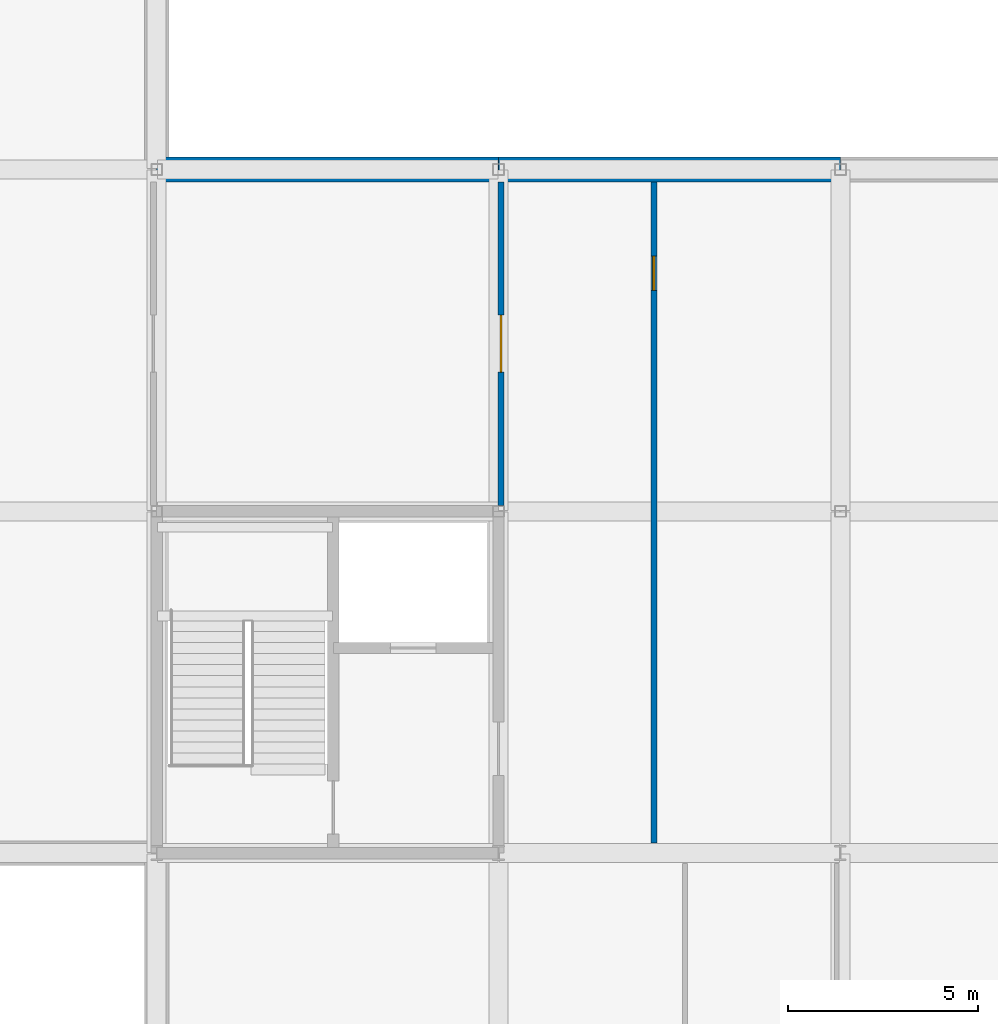
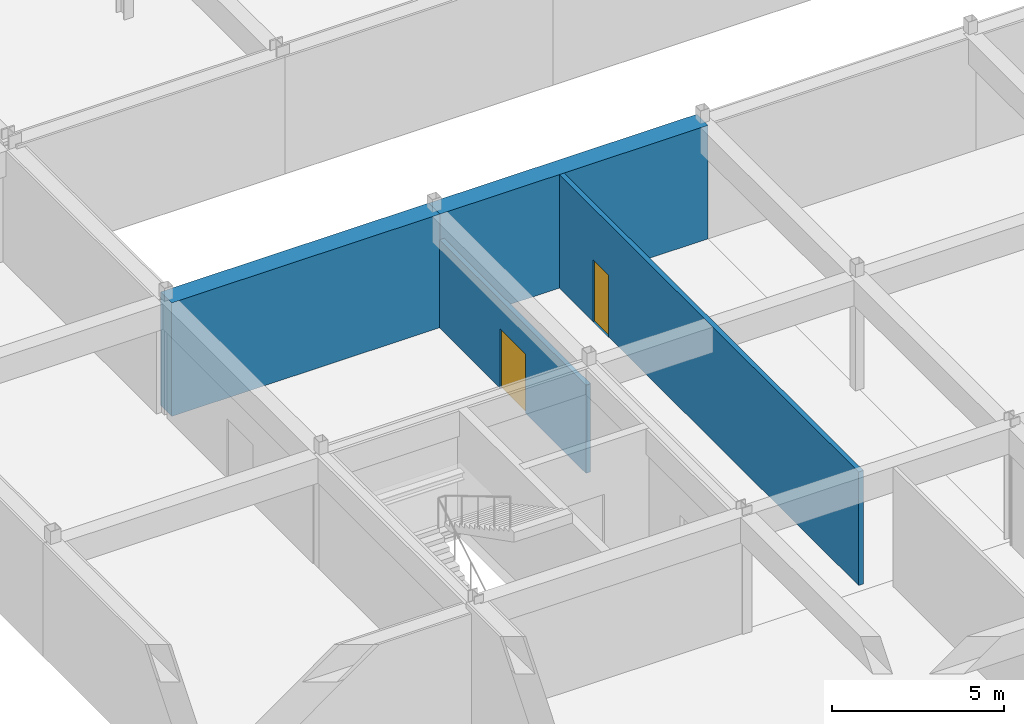
# One storey, part 22 of 35: 4 walls, 2 doors, 2 openings.
"""IFC4 building model written with IfcOpenShell, lengths in metres."""

from ifc_helpers import new_model, si_unit, direction, frame, frame_2d, origin, place, context, subcontext, project, spatial, rectangle, extrude, material, layer, layer_set, type_object, element, fill, save


model = new_model("IFC4")

# Units and contexts
model_context = context("Model", 3, precision=1e-05, world=origin(), true_north=direction((0.0, 1.0)))
body_context = subcontext(model_context, "Body", "Model", "MODEL_VIEW")
ifc_project = project(units=[si_unit("LENGTHUNIT", "METRE"), si_unit("AREAUNIT", "SQUARE_METRE"), si_unit("VOLUMEUNIT", "CUBIC_METRE"), si_unit("PLANEANGLEUNIT", "RADIAN"), si_unit("MASSUNIT", "GRAM", prefix="KILO")], contexts=[model_context])

# Site, building, storey
site_placement = place(None, origin())
site = spatial("IfcSite", under=ifc_project, at=site_placement, CompositionType="ELEMENT")
building_placement = place(site_placement, origin())
building = spatial("IfcBuilding", under=site, at=building_placement, Name="Palais des Congres Ocreval", CompositionType="ELEMENT")
storey_placement = place(building_placement, frame((0.0, 0.0, -4.47998046875)))
storey = spatial("IfcBuildingStorey", under=building, at=storey_placement, Name="B1", CompositionType="ELEMENT", Elevation=-4.47998046875)

# Wall, opening, door
ifc_material_1 = material(Name="Gypsum acoustic partition")
ifc_layer_1 = layer(ifc_material_1, 0.159912109375)
ifc_layer_set_1 = layer_set([ifc_layer_1], Name="Corridor Fire Partition 160 Gypsum (Gypsum acoustic partition)")
wall_type_1 = type_object("IfcWallType", Name="Corridor Fire Partition 160 Gypsum", PredefinedType="PARTITIONING", material=ifc_layer_set_1)
wall_1_placement = place(storey_placement, frame((117.06494140625, 54.155029296875, 0.0), z_axis=(0.0, 0.0, 1.0), x_axis=(0.0, 1.0, 0.0)))
wall_1 = element("IfcWall", 1, at=wall_1_placement, inside=storey, type_object=wall_type_1, Name="Interior Partition IW03 B1", PredefinedType="PARTITIONING", context=body_context, shape_type="SweptSolid", body=[
    extrude(rectangle(XDim=8.514892578125, YDim=0.159912109375, at=frame_2d((4.25732421875, 0.0))), origin(), (0.0, 0.0, 1.0), 3.1298828125),
])
opening_1_placement = place(wall_1_placement, frame((3.507568359375, 0.0, 0.0)))
opening_1 = element("IfcOpeningElement", 2, at=opening_1_placement, cuts=wall_1, Name="Opening D04", PredefinedType="OPENING", context=body_context, shape_type="SweptSolid", body=[
    extrude(rectangle(XDim=1.5, YDim=2.10009765625, at=frame_2d((0.75, 1.050048828125))), frame((0.0, 0.08984375, 0.0), z_axis=(0.0, -1.0, 0.0), x_axis=(1.0, 0.0, 0.0)), (0.0, 0.0, 1.0), 0.179931640625),
])
ifc_material_2 = material(Name="Solid French oak fire door", Category="wood")
door_type_1 = type_object("IfcDoorType", Name="Corridor Compartment Double Door 1500x2100", OperationType="NOTDEFINED", PredefinedType="DOOR", material=ifc_material_2)
door_1_placement = place(opening_1_placement, origin())
door_1 = element("IfcDoor", 3, at=door_1_placement, inside=storey, type_object=door_type_1, Name="Interior Door D04 B1", OperationType="DOUBLE_DOOR_SINGLE_SWING", OverallHeight=2.10009765625, OverallWidth=1.5, PredefinedType="DOOR", context=body_context, shape_type="SweptSolid", body=[
    extrude(rectangle(XDim=1.5, YDim=2.10009765625, at=frame_2d((0.75, 1.050048828125))), frame((0.0, 0.02490234375, 0.0), z_axis=(0.0, -1.0, 0.0), x_axis=(1.0, 0.0, 0.0)), (0.0, 0.0, 1.0), 0.050048828125),
])
fill(opening_1, door_1)

wall_2_placement = place(storey_placement, frame((121.090087890625, 45.27001953125, 0.0), z_axis=(0.0, 0.0, 1.0), x_axis=(0.0, 1.0, 0.0)))
wall_2 = element("IfcWall", 4, at=wall_2_placement, inside=storey, type_object=wall_type_1, Name="Interior Partition IW03 B1", PredefinedType="PARTITIONING", context=body_context, shape_type="SweptSolid", body=[
    extrude(rectangle(XDim=17.39990234375, YDim=0.159912109375, at=frame_2d((8.699951171875, 0.0))), origin(), (0.0, 0.0, 1.0), 4.030029296875),
])
opening_2_placement = place(wall_2_placement, frame((14.550048828125, 0.0, 0.0)))
opening_2 = element("IfcOpeningElement", 5, at=opening_2_placement, cuts=wall_2, Name="Opening D11", PredefinedType="OPENING", context=body_context, shape_type="SweptSolid", body=[
    extrude(rectangle(XDim=0.89990234375, YDim=2.199951171875, at=frame_2d((0.449951171875, 1.10009765625))), frame((0.0, 0.08984375, 0.0), z_axis=(0.0, -1.0, 0.0), x_axis=(1.0, 0.0, 0.0)), (0.0, 0.0, 1.0), 0.179931640625),
])
ifc_material_3 = material(Name="Solid French oak", Category="wood")
door_type_2 = type_object("IfcDoorType", Name="Spa Treatment Cabin Door 900x2200", OperationType="NOTDEFINED", PredefinedType="DOOR", material=ifc_material_3)
door_2_placement = place(opening_2_placement, origin())
door_2 = element("IfcDoor", 6, at=door_2_placement, inside=storey, type_object=door_type_2, Name="Interior Door D11 B1", OperationType="SINGLE_SWING_RIGHT", OverallHeight=2.199951171875, OverallWidth=0.89990234375, PredefinedType="DOOR", context=body_context, shape_type="SweptSolid", body=[
    extrude(rectangle(XDim=0.89990234375, YDim=2.199951171875, at=frame_2d((0.449951171875, 1.10009765625))), frame((0.0, 0.02490234375, 0.0), z_axis=(0.0, -1.0, 0.0), x_axis=(1.0, 0.0, 0.0)), (0.0, 0.0, 1.0), 0.050048828125),
])
fill(opening_2, door_2)

# Walls
ifc_material_4 = material(Name="Concrete C35/45", Category="concrete")
ifc_layer_2 = layer(ifc_material_4, 0.64990234375)
ifc_layer_set_2 = layer_set([ifc_layer_2], Name="Upper Retaining Wall 650 Concrete C35/45")
wall_type_2 = type_object("IfcWallType", Name="Upper Retaining Wall 650 Concrete C35/45", PredefinedType="USERDEFINED", material=ifc_layer_set_2)
for number, where, z_axis, x_axis, name in (
    (7, (108.0, 63.0, 0.0), (0.0, 0.0, 1.0), (1.0, 0.0, 0.0), "Basement Diaphragm Wall RW02 B1"),
    (8, (117.0, 63.0, 0.0), (0.0, 0.0, 1.0), (1.0, 0.0, 0.0), "Basement Diaphragm Wall RW02 B1"),
):
    element("IfcWall", number, at=place(storey_placement, frame(where, z_axis=z_axis, x_axis=x_axis)), inside=storey, type_object=wall_type_2, Name=name, ObjectType="RETAININGWALL", PredefinedType="USERDEFINED", context=body_context, shape_type="SweptSolid", body=[
        extrude(rectangle(XDim=9.0, YDim=0.64990234375, at=frame_2d((4.5, 0.0))), origin(), (0.0, 0.0, 1.0), 4.030029296875),
    ])

save(model, "model.ifc")
